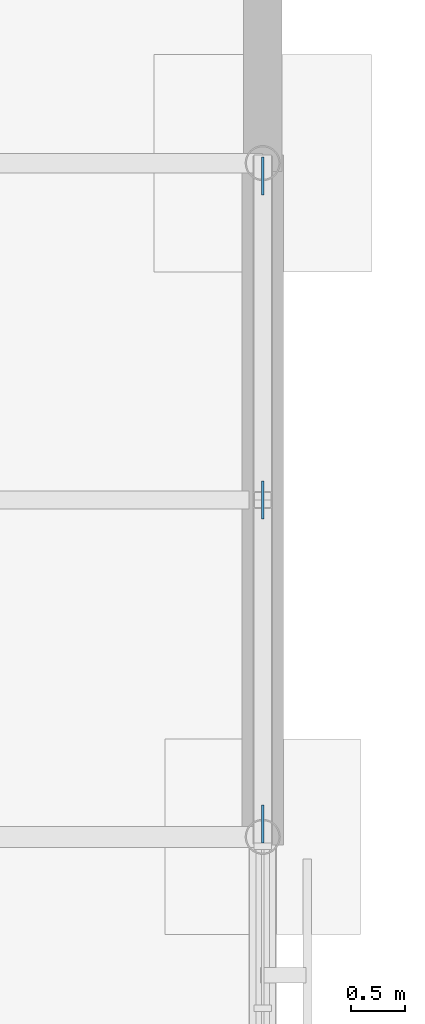
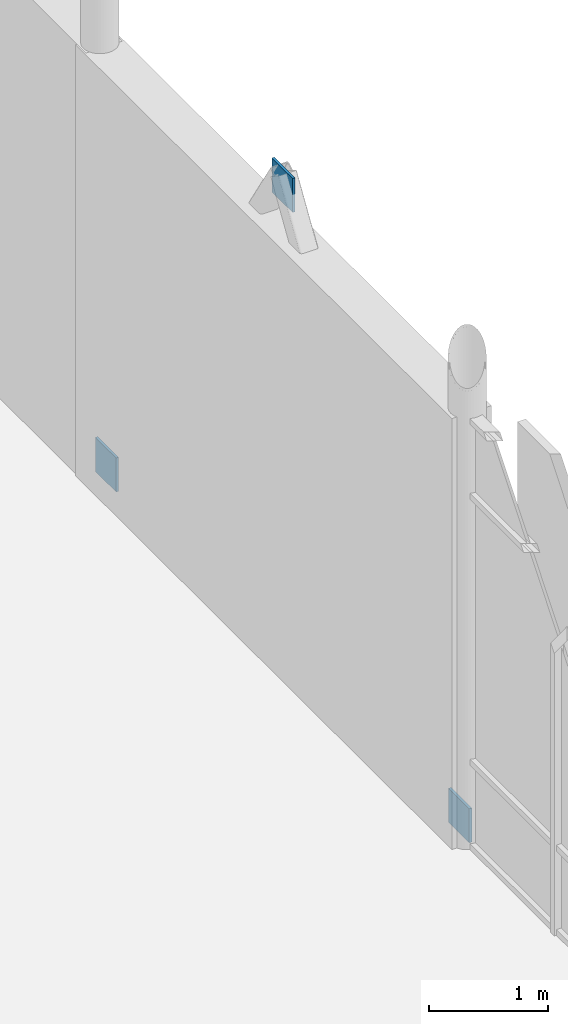
# One storey, part 85 of 98: 3 discrete accessories.
"""IFC4 building model written with IfcOpenShell, lengths in metres."""

import ifcopenshell
import ifcopenshell.guid

model = None  # the IFC model being written
_history = None  # IfcOwnerHistory: only IFC2X3 demands one
_inside = {}  # id of a spatial element -> (the spatial element, [elements in it])
_under = {}  # id of a project, library or spatial element -> (it, [spatial elements below it])
_declared = {}  # id of a project -> (the project, [libraries it declares])
_typed = {}  # id of a type object -> (the type object, [elements of that type])
_made_of = {}  # id of a material, layer set ... -> (it, [elements and type objects made of it])


def new_model(schema):
    """Start an empty IFC model of exactly this schema.

    Asked for "IFC4X3", IfcOpenShell would pick the latest addendum, in which some entities
    have other attributes; the version numbers below select the first issue.
    IFC2X3 requires an IfcOwnerHistory on every rooted entity: one is made here for all.
    """
    global model, _history
    if schema == "IFC4X3":
        model = ifcopenshell.file(schema_version=(4, 3, 0, 0))
    else:
        model = ifcopenshell.file(schema=schema)
    _inside.clear()
    _under.clear()
    _declared.clear()
    _typed.clear()
    _made_of.clear()
    _history = None
    if model.schema == "IFC2X3":
        org = make("IfcOrganization", Name="unknown")
        user = make(
            "IfcPersonAndOrganization",
            ThePerson=make("IfcPerson", FamilyName="unknown"),
            TheOrganization=org,
        )
        app = make(
            "IfcApplication",
            ApplicationDeveloper=org,
            Version="unknown",
            ApplicationFullName="unknown",
            ApplicationIdentifier="unknown",
        )
        _history = make(
            "IfcOwnerHistory",
            OwningUser=user,
            OwningApplication=app,
            ChangeAction="ADDED",
            CreationDate=0,
        )
    return model


def make(cls, **values):
    """One entity of the class cls with the attributes given. An attribute that is None is left unset."""
    return model.create_entity(
        cls, **{name: value for name, value in values.items() if value is not None}
    )


def rooted(cls, **values):
    """An entity with a GlobalId (a new one), such as an element, a storey or a relation."""
    return make(cls, GlobalId=ifcopenshell.guid.new(), OwnerHistory=_history, **values)


def si_unit(unit_type, name, prefix=None):
    """IfcSIUnit, for example si_unit("LENGTHUNIT", "METRE", prefix="MILLI")."""
    return make("IfcSIUnit", UnitType=unit_type, Prefix=prefix, Name=name)


def assignment(units):
    """IfcUnitAssignment: the units of a project."""
    return None if units is None else make("IfcUnitAssignment", Units=units)


def point(xyz):
    """IfcCartesianPoint."""
    return None if xyz is None else make("IfcCartesianPoint", Coordinates=xyz)


def direction(xyz):
    """IfcDirection."""
    return None if xyz is None else make("IfcDirection", DirectionRatios=xyz)


def frame(location, z_axis=None, x_axis=None):
    """IfcAxis2Placement3D, a coordinate frame: its origin and axes. An axis left out is left unset."""
    return make(
        "IfcAxis2Placement3D",
        Location=point(location),
        Axis=direction(z_axis),
        RefDirection=direction(x_axis),
    )


def frame_2d(location, x_axis=None):
    """IfcAxis2Placement2D, a coordinate frame in the plane: its origin and x axis."""
    return make(
        "IfcAxis2Placement2D", Location=point(location), RefDirection=direction(x_axis)
    )


def origin():
    """The frame at (0, 0, 0) with its axes left unset."""
    return frame((0.0, 0.0, 0.0))


def origin_2d():
    """The frame at (0, 0) in the plane with its x axis left unset."""
    return frame_2d((0.0, 0.0))


def place(relative_to, where):
    """IfcLocalPlacement: puts the frame where relative to a parent placement (None: the world)."""
    return make(
        "IfcLocalPlacement", PlacementRelTo=relative_to, RelativePlacement=where
    )


def context(
    kind, dimensions, precision=None, world=None, true_north=None, identifier=None
):
    """IfcGeometricRepresentationContext, for example the 3D "Model" context."""
    return make(
        "IfcGeometricRepresentationContext",
        ContextIdentifier=identifier,
        ContextType=kind,
        CoordinateSpaceDimension=dimensions,
        Precision=precision,
        WorldCoordinateSystem=world,
        TrueNorth=true_north,
    )


def subcontext(parent, identifier, kind, view, scale=None):
    """IfcGeometricRepresentationSubContext, for example "Body" below "Model"."""
    return make(
        "IfcGeometricRepresentationSubContext",
        ContextIdentifier=identifier,
        ContextType=kind,
        ParentContext=parent,
        TargetScale=scale,
        TargetView=view,
    )


def project(units=None, contexts=None):
    """IfcProject with its units and contexts."""
    return rooted(
        "IfcProject",
        Name="project",
        RepresentationContexts=contexts,
        UnitsInContext=assignment(units),
    )


def spatial(cls, under=None, at=None, **own):
    """A site, building, storey or space (cls), placed at a placement, below another one or the project."""
    s = rooted(cls, ObjectPlacement=at, **own)
    if under is not None:
        _under.setdefault(under.id(), (under, []))[1].append(s)
    return s


def profile(cls, at=None, kind="AREA", **sizes):
    """A parametric profile (cls). Its sizes go by their IFC names, for example OverallWidth=200.0."""
    return make(cls, ProfileType=kind, Position=at, **sizes)


def rectangle(**sizes):
    """IfcRectangleProfileDef."""
    return profile("IfcRectangleProfileDef", **sizes)


def extrude(swept, where, along, depth):
    """IfcExtrudedAreaSolid: the profile swept, set in the frame where, extruded along a direction by depth."""
    return make(
        "IfcExtrudedAreaSolid",
        SweptArea=swept,
        Position=where,
        ExtrudedDirection=direction(along),
        Depth=depth,
    )


def shape(context_of_items, identifier, shape_type, items):
    """IfcShapeRepresentation: the items that make up one representation, for example the "Body"."""
    return make(
        "IfcShapeRepresentation",
        ContextOfItems=context_of_items,
        RepresentationIdentifier=identifier,
        RepresentationType=shape_type,
        Items=items,
    )


def material(Name=None, Category=None):
    """IfcMaterial."""
    return make("IfcMaterial", Name=Name, Category=Category)


def made_of(thing, what):
    """Note that an element or type object is made of a material, layer set ...; save() writes the relation."""
    if what is not None:
        _made_of.setdefault(what.id(), (what, []))[1].append(thing)
    return thing


def type_object(cls, material=None, **own):
    """A type object (cls), such as IfcWallType, which elements share."""
    return made_of(rooted(cls, **own), material)


def element(
    cls,
    number,
    at=None,
    inside=None,
    cuts=None,
    type_object=None,
    material=None,
    context=None,
    identifier="Body",
    shape_type=None,
    held_by="IfcProductDefinitionShape",
    body=None,
    shapes=None,
    **own,
):
    """One element of the class cls, such as IfcWall. Its Tag is "e" and its number.

    at: its placement. inside: the storey or other place that contains it. cuts: it is an
    opening in that element (IfcRelVoidsElement). A single representation is given by context,
    identifier, shape_type and body (its items); several are given by shapes. held_by: the class
    of the entity that holds the representations. save() writes the other relations.
    """
    e = rooted(cls, Tag="e%d" % number, ObjectPlacement=at, **own)
    if body is not None:
        shapes = [shape(context, identifier, shape_type, body)]
    if shapes is not None:
        e.Representation = make(held_by, Representations=shapes)
    if inside is not None:
        _inside.setdefault(inside.id(), (inside, []))[1].append(e)
    if cuts is not None:
        rooted(
            "IfcRelVoidsElement", RelatingBuildingElement=cuts, RelatedOpeningElement=e
        )
    if type_object is not None:
        _typed.setdefault(type_object.id(), (type_object, []))[1].append(e)
    return made_of(e, material)


def aggregate(whole, parts):
    """IfcRelAggregates: a whole, such as a stair, and the parts it consists of."""
    return rooted("IfcRelAggregates", RelatingObject=whole, RelatedObjects=parts)


def save(model, path):
    """Write the relations noted so far, then the file.

    IfcRelAggregates (storeys below a building ...), IfcRelContainedInSpatialStructure (elements
    in a storey), IfcRelDefinesByType, IfcRelAssociatesMaterial and IfcRelDeclares: one each for
    every whole, place, type object, material and project.
    """
    for whole, parts in _under.values():
        aggregate(whole, parts)
    for where, things in _inside.values():
        rooted(
            "IfcRelContainedInSpatialStructure",
            RelatedElements=things,
            RelatingStructure=where,
        )
    for kind, things in _typed.values():
        rooted("IfcRelDefinesByType", RelatedObjects=things, RelatingType=kind)
    for what, things in _made_of.values():
        rooted("IfcRelAssociatesMaterial", RelatedObjects=things, RelatingMaterial=what)
    for by, libraries in _declared.values():
        rooted("IfcRelDeclares", RelatingContext=by, RelatedDefinitions=libraries)
    model.write(path)


model = new_model("IFC4")

# Units and contexts
model_context = context("Model", 3, precision=1e-05, world=origin(), true_north=direction((0.0, 1.0)))
body_context = subcontext(model_context, "Body", "Model", "MODEL_VIEW")
ifc_project = project(units=[si_unit("LENGTHUNIT", "METRE"), si_unit("AREAUNIT", "SQUARE_METRE"), si_unit("VOLUMEUNIT", "CUBIC_METRE"), si_unit("PLANEANGLEUNIT", "RADIAN"), si_unit("MASSUNIT", "GRAM", prefix="KILO")], contexts=[model_context])

# Site, building, storey
site_placement = place(None, origin())
site = spatial("IfcSite", under=ifc_project, at=site_placement, CompositionType="ELEMENT")
building_placement = place(site_placement, origin())
building = spatial("IfcBuilding", under=site, at=building_placement, Name="Mirzam Square Science Centre", CompositionType="ELEMENT")
storey_placement = place(building_placement, origin())
storey = spatial("IfcBuildingStorey", under=building, at=storey_placement, Name="L00", CompositionType="ELEMENT", Elevation=0.0)

# Discrete accessories
ifc_material = material(Name="Steel S355", Category="steel")
discrete_accessory_type = type_object("IfcDiscreteAccessoryType", Name="BK-BRACE-GUSSET", PredefinedType="BRACKET", material=ifc_material)
for number, where, z_axis, x_axis, name in (
    (1, (162.0, 49.719970703125, -0.005126953125), (0.0, 0.0, 1.0), (0.0, 1.0, 0.0), "L00 brace gusset plate 4A"),
    (2, (162.0, 55.679931640625, -0.005126953125), (0.0, 0.0, 1.0), (0.0, 1.0, 0.0), "L00 brace gusset plate 4B"),
    (3, (162.0, 52.699951171875, 4.679931640625), (0.0, 0.0, 1.0), (0.0, 1.0, 0.0), "L00 brace apex gusset plate 4"),
):
    element("IfcDiscreteAccessory", number, at=place(storey_placement, frame(where, z_axis=z_axis, x_axis=x_axis)), inside=storey, type_object=discrete_accessory_type, Name=name, PredefinedType="BRACKET", context=body_context, shape_type="SweptSolid", body=[
        extrude(rectangle(XDim=0.35009765625, YDim=0.02490234375, at=origin_2d()), origin(), (0.0, 0.0, 1.0), 0.35009765625),
    ])

save(model, "model.ifc")
